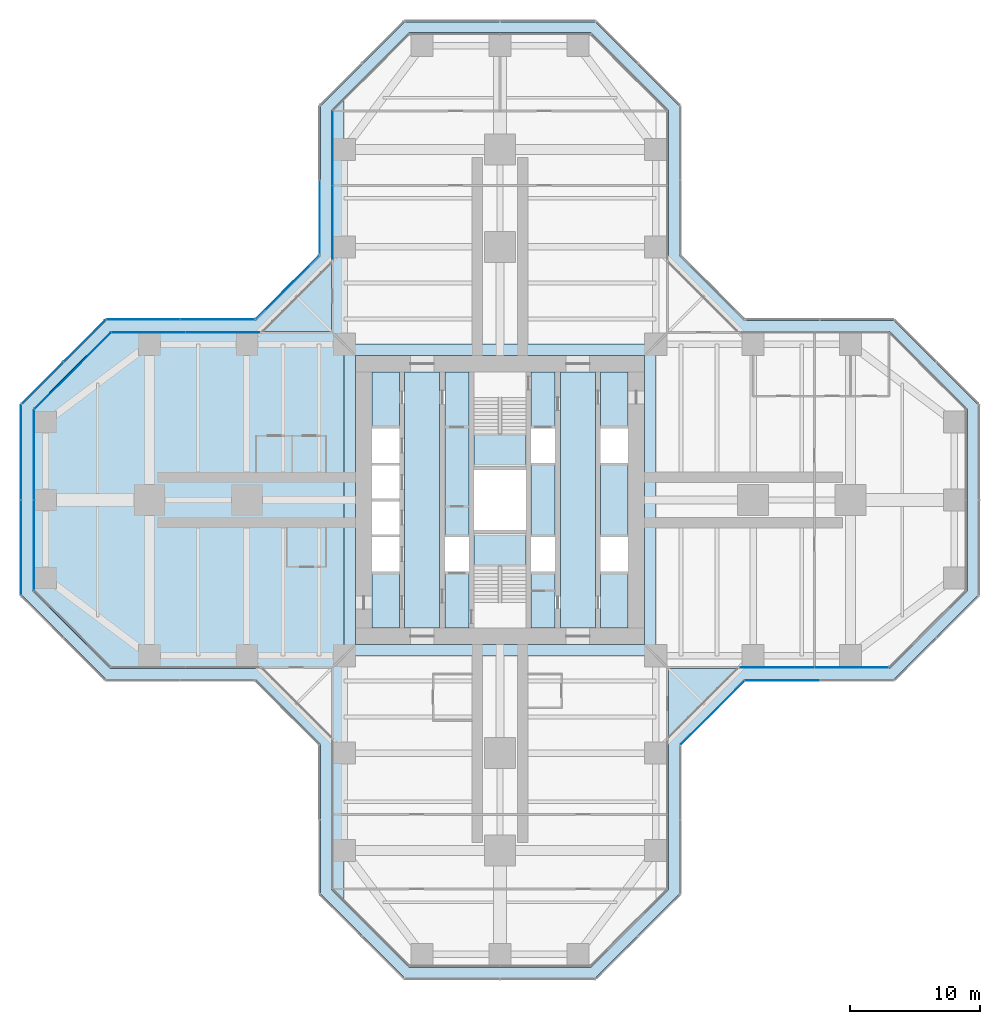
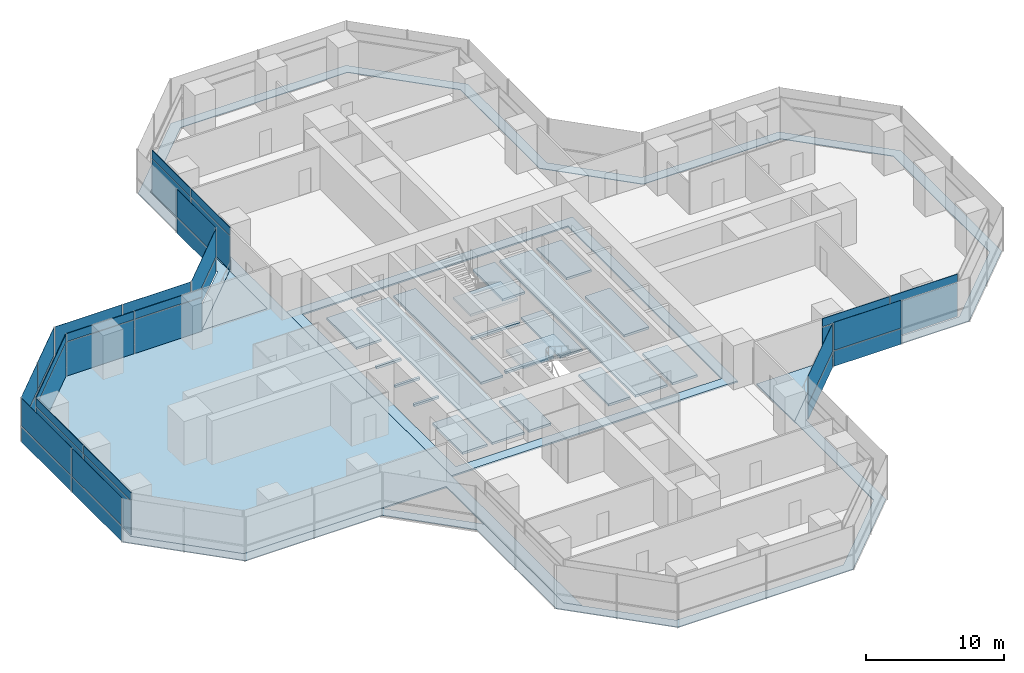
# One storey, part 15 of 22: 39 plates, 7 slabs, 14 elements without a shape of their own.
"""IFC4 building model written with IfcOpenShell, lengths in metres."""

from ifc_helpers import new_model, si_unit, direction, frame, origin, origin_2d, place, context, subcontext, project, spatial, polyline, rectangle, outline, extrude, material, layer, layer_set, type_object, element, aggregate, save


model = new_model("IFC4")

# Units and contexts
model_context = context("Model", 3, precision=1e-05, world=origin(), true_north=direction((0.0, 1.0)))
body_context = subcontext(model_context, "Body", "Model", "MODEL_VIEW")
ifc_project = project(units=[si_unit("LENGTHUNIT", "METRE"), si_unit("AREAUNIT", "SQUARE_METRE"), si_unit("VOLUMEUNIT", "CUBIC_METRE"), si_unit("PLANEANGLEUNIT", "RADIAN"), si_unit("MASSUNIT", "GRAM", prefix="KILO")], contexts=[model_context])

# Site, building, storey
site_placement = place(None, origin())
site = spatial("IfcSite", under=ifc_project, at=site_placement, CompositionType="ELEMENT")
building_placement = place(site_placement, origin())
building = spatial("IfcBuilding", under=site, at=building_placement, Name="Mizan Broadcast Tower", CompositionType="ELEMENT")
storey_placement = place(building_placement, frame((0.0, 0.0, 90.300048828125)))
storey = spatial("IfcBuildingStorey", under=building, at=storey_placement, Name="L19", CompositionType="ELEMENT", Elevation=90.300048828125)

# Plate
ifc_material_1 = material(Name="Aluminium grating", Category="aluminium")
ifc_layer_1 = layer(ifc_material_1, 0.050048828125)
ifc_layer_set_1 = layer_set([ifc_layer_1], Name="Aluminium grating")
plate_type_1 = type_object("IfcPlateType", Name="CAVITY GRATING", PredefinedType="USERDEFINED", material=ifc_layer_set_1)
plate_1_placement = place(storey_placement, frame((0.0, 0.0, -0.050048828125)))
element("IfcPlate", 1, at=plate_1_placement, inside=storey, type_object=plate_type_1, Name="Cavity grating L19", ObjectType="GRATING", PredefinedType="USERDEFINED", context=body_context, shape_type="SweptSolid", body=[
    extrude(outline(polyline([(13.820068359375, -18.839599609375), (18.839599609375, -13.820068359375), (30.339599609375, -13.820068359375), (36.820068359375, -7.339599609375), (36.820068359375, 7.339599609375), (30.339599609375, 13.820068359375), (18.839599609375, 13.820068359375), (13.820068359375, 18.839599609375), (13.820068359375, 30.339599609375), (7.339599609375, 36.820068359375), (-7.339599609375, 36.820068359375), (-13.820068359375, 30.339599609375), (-13.820068359375, 18.839599609375), (-18.839599609375, 13.820068359375), (-30.339599609375, 13.820068359375), (-36.820068359375, 7.339599609375), (-36.820068359375, -7.339599609375), (-30.339599609375, -13.820068359375), (-18.839599609375, -13.820068359375), (-13.820068359375, -18.839599609375), (-13.820068359375, -30.339599609375), (-7.339599609375, -36.820068359375), (7.339599609375, -36.820068359375), (13.820068359375, -30.339599609375), (13.820068359375, -18.839599609375)]), holes=[polyline([(36.0, 7.0), (36.0, -7.0), (30.0, -13.0), (18.5, -13.0), (13.0, -18.5), (13.0, -30.0), (7.0, -36.0), (-7.0, -36.0), (-13.0, -30.0), (-13.0, -18.5), (-18.5, -13.0), (-30.0, -13.0), (-36.0, -7.0), (-36.0, 7.0), (-30.0, 13.0), (-18.5, 13.0), (-13.0, 18.5), (-13.0, 30.0), (-7.0, 36.0), (7.0, 36.0), (13.0, 30.0), (13.0, 18.5), (18.5, 13.0), (30.0, 13.0), (36.0, 7.0)])]), origin(), (0.0, 0.0, 1.0), 0.050048828125),
])

# Slabs
ifc_material_2 = material(Name="Concrete C32/40", Category="concrete")
ifc_layer_2 = layer(ifc_material_2, 0.1298828125)
ifc_layer_set_2 = layer_set([ifc_layer_2], Name="Concrete C32/40")
slab_type_1 = type_object("IfcSlabType", Name="COMPOSITE DECK SLAB 130", PredefinedType="FLOOR", material=ifc_layer_set_2)
slab_1_placement = place(storey_placement, frame((0.0, 0.0, -0.130126953125)))
element("IfcSlab", 2, at=slab_1_placement, inside=storey, type_object=slab_type_1, Name="Floor slab L19 centre", PredefinedType="FLOOR", context=body_context, shape_type="SweptSolid", body=[
    extrude(outline(polyline([(-12.0, -12.0), (12.0, -12.0), (12.0, 12.0), (-12.0, 12.0), (-12.0, -12.0)]), holes=[polyline([(-11.14990234375, 11.14990234375), (11.14990234375, 11.14990234375), (11.14990234375, -11.14990234375), (-11.14990234375, -11.14990234375), (-11.14990234375, 11.14990234375)])]), origin(), (0.0, 0.0, 1.0), 0.130126953125),
])
slab_2_placement = place(storey_placement, frame((0.0, 0.0, -0.130126953125)))
element("IfcSlab", 3, at=slab_2_placement, inside=storey, type_object=slab_type_1, Name="Floor slab L19 west arm", PredefinedType="FLOOR", context=body_context, shape_type="SweptSolid", body=[
    extrude(outline(polyline([(-13.0, -30.0), (-12.0, -31.0), (-12.0, 31.0), (-13.0, 30.0), (-13.0, 13.0), (-30.0, 13.0), (-36.0, 7.0), (-36.0, -7.0), (-30.0, -13.0), (-13.0, -13.0), (-13.0, -30.0)])), origin(), (0.0, 0.0, 1.0), 0.130126953125),
])
ifc_material_3 = material(Name="Concrete C40/50", Category="concrete")
ifc_layer_3 = layer(ifc_material_3, 0.199951171875)
ifc_layer_set_3 = layer_set([ifc_layer_3], Name="Concrete C40/50")
slab_type_2 = type_object("IfcSlabType", Name="CORE FLOOR 200", PredefinedType="FLOOR", material=ifc_layer_set_3)
slab_3_placement = place(storey_placement, frame((0.0, 0.0, -0.199951171875)))
element("IfcSlab", 4, at=slab_3_placement, inside=storey, type_object=slab_type_2, Name="Core floor L19", PredefinedType="FLOOR", context=body_context, shape_type="SweptSolid", body=[
    extrude(outline(polyline([(-9.85009765625, -9.85009765625), (-7.75, -9.85009765625), (-7.75, -5.5), (-9.85009765625, -5.5), (-9.85009765625, -9.85009765625)])), origin(), (0.0, 0.0, 1.0), 0.199951171875),
    extrude(outline(polyline([(-9.85009765625, -2.85009765625), (-7.75, -2.85009765625), (-7.75, -2.64990234375), (-9.85009765625, -2.64990234375), (-9.85009765625, -2.85009765625)])), origin(), (0.0, 0.0, 1.0), 0.199951171875),
    extrude(outline(polyline([(-9.85009765625, -0.10009765625), (-7.75, -0.10009765625), (-7.75, 0.10009765625), (-9.85009765625, 0.10009765625), (-9.85009765625, -0.10009765625)])), origin(), (0.0, 0.0, 1.0), 0.199951171875),
    extrude(outline(polyline([(-9.85009765625, 2.64990234375), (-7.75, 2.64990234375), (-7.75, 2.85009765625), (-9.85009765625, 2.85009765625), (-9.85009765625, 2.64990234375)])), origin(), (0.0, 0.0, 1.0), 0.199951171875),
    extrude(outline(polyline([(-9.85009765625, 5.5), (-7.75, 5.5), (-7.75, 9.85009765625), (-9.85009765625, 9.85009765625), (-9.85009765625, 5.5)])), origin(), (0.0, 0.0, 1.0), 0.199951171875),
    extrude(outline(polyline([(-4.64990234375, 9.85009765625), (-7.35009765625, 9.85009765625), (-7.35009765625, -9.85009765625), (-4.64990234375, -9.85009765625), (-4.64990234375, 9.85009765625)])), origin(), (0.0, 0.0, 1.0), 0.199951171875),
    extrude(outline(polyline([(-4.25, -5.5), (-4.25, -9.85009765625), (-2.39990234375, -9.85009765625), (-2.39990234375, -5.5), (-4.25, -5.5)])), origin(), (0.0, 0.0, 1.0), 0.199951171875),
    extrude(outline(polyline([(-4.25, -2.85009765625), (-2.39990234375, -2.85009765625), (-2.39990234375, 9.85009765625), (-4.25, 9.85009765625), (-4.25, -2.85009765625)])), origin(), (0.0, 0.0, 1.0), 0.199951171875),
    extrude(outline(polyline([(2.0, -2.324951171875), (-2.0, -2.324951171875), (-2.0, -2.574951171875), (2.0, -2.574951171875), (2.0, -2.324951171875)])), origin(), (0.0, 0.0, 1.0), 0.199951171875),
    extrude(outline(polyline([(2.0, 2.574951171875), (-2.0, 2.574951171875), (-2.0, 2.324951171875), (2.0, 2.324951171875), (2.0, 2.574951171875)])), origin(), (0.0, 0.0, 1.0), 0.199951171875),
    extrude(outline(polyline([(4.25, -9.85009765625), (4.25, -5.5), (2.39990234375, -5.5), (2.39990234375, -9.85009765625), (4.25, -9.85009765625)])), origin(), (0.0, 0.0, 1.0), 0.199951171875),
    extrude(outline(polyline([(4.25, -2.85009765625), (4.25, 2.85009765625), (2.39990234375, 2.85009765625), (2.39990234375, -2.85009765625), (4.25, -2.85009765625)])), origin(), (0.0, 0.0, 1.0), 0.199951171875),
    extrude(outline(polyline([(4.25, 5.5), (4.25, 9.85009765625), (2.39990234375, 9.85009765625), (2.39990234375, 5.5), (4.25, 5.5)])), origin(), (0.0, 0.0, 1.0), 0.199951171875),
    extrude(outline(polyline([(4.64990234375, 9.85009765625), (4.64990234375, -9.85009765625), (7.35009765625, -9.85009765625), (7.35009765625, 9.85009765625), (4.64990234375, 9.85009765625)])), origin(), (0.0, 0.0, 1.0), 0.199951171875),
    extrude(outline(polyline([(9.85009765625, -9.85009765625), (9.85009765625, -5.5), (7.75, -5.5), (7.75, -9.85009765625), (9.85009765625, -9.85009765625)])), origin(), (0.0, 0.0, 1.0), 0.199951171875),
    extrude(outline(polyline([(7.75, 2.85009765625), (7.75, -2.85009765625), (9.85009765625, -2.85009765625), (9.85009765625, 2.85009765625), (7.75, 2.85009765625)])), origin(), (0.0, 0.0, 1.0), 0.199951171875),
    extrude(outline(polyline([(9.85009765625, 5.5), (9.85009765625, 9.85009765625), (7.75, 9.85009765625), (7.75, 5.5), (9.85009765625, 5.5)])), origin(), (0.0, 0.0, 1.0), 0.199951171875),
])

# Curtain wall, plates
ifc_material_4 = material(Name="Aluminium framed glazing", Category="aluminium")
curtain_wall_type_1 = type_object("IfcCurtainWallType", Name="INNER SKIN LOW ZONE", PredefinedType="USERDEFINED", material=ifc_material_4)
curtain_wall_1_placement = place(storey_placement, origin())
curtain_wall_1 = element("IfcCurtainWall", 5, at=curtain_wall_1_placement, inside=storey, type_object=curtain_wall_type_1, Name="Inner skin low zone L19 E side", ObjectType="INNER SKIN LOW ZONE", PredefinedType="USERDEFINED")
ifc_material_5 = material(Name="Double glazing, clear low-e", Category="glass")
ifc_layer_4 = layer(ifc_material_5, 0.028076171875)
ifc_layer_set_4 = layer_set([ifc_layer_4], Name="Double glazing, clear low-e")
plate_type_2 = type_object("IfcPlateType", Name="INNER SKIN GLAZING UNIT", PredefinedType="CURTAIN_PANEL", material=ifc_layer_set_4)
plate_2_placement = place(storey_placement, frame((21.379638671875, -12.89990234375, 0.0), z_axis=(0.0, 0.0, 1.0), x_axis=(1.0, 0.0, 0.0)))
plate_2 = element("IfcPlate", 6, at=plate_2_placement, type_object=plate_type_2, Name="Inner skin low zone L19 E side panel 1.1", PredefinedType="CURTAIN_PANEL", context=body_context, shape_type="SweptSolid", body=[
    extrude(rectangle(XDim=5.639404296875, YDim=0.028076171875, at=origin_2d()), origin(), (0.0, 0.0, 1.0), 3.0),
])
plate_3_placement = place(storey_placement, frame((27.078857421875, -12.89990234375, 0.0), z_axis=(0.0, 0.0, 1.0), x_axis=(1.0, 0.0, 0.0)))
plate_3 = element("IfcPlate", 7, at=plate_3_placement, type_object=plate_type_2, Name="Inner skin low zone L19 E side panel 2.1", PredefinedType="CURTAIN_PANEL", context=body_context, shape_type="SweptSolid", body=[
    extrude(rectangle(XDim=5.639404296875, YDim=0.028076171875, at=origin_2d()), origin(), (0.0, 0.0, 1.0), 3.0),
])

curtain_wall_2_placement = place(storey_placement, origin())
curtain_wall_2 = element("IfcCurtainWall", 8, at=curtain_wall_2_placement, inside=storey, type_object=curtain_wall_type_1, Name="Inner skin low zone L19 N side", ObjectType="INNER SKIN LOW ZONE", PredefinedType="USERDEFINED")
plate_4_placement = place(storey_placement, frame((-12.89990234375, 27.078857421875, 0.0), z_axis=(0.0, 0.0, 1.0), x_axis=(0.0, -1.0, 0.0)))
plate_4 = element("IfcPlate", 9, at=plate_4_placement, type_object=plate_type_2, Name="Inner skin low zone L19 N side panel 1.1", PredefinedType="CURTAIN_PANEL", context=body_context, shape_type="SweptSolid", body=[
    extrude(rectangle(XDim=5.639404296875, YDim=0.028076171875, at=origin_2d()), origin(), (0.0, 0.0, 1.0), 3.0),
])
plate_5_placement = place(storey_placement, frame((-12.89990234375, 21.379638671875, 0.0), z_axis=(0.0, 0.0, 1.0), x_axis=(0.0, -1.0, 0.0)))
plate_5 = element("IfcPlate", 10, at=plate_5_placement, type_object=plate_type_2, Name="Inner skin low zone L19 N side panel 2.1", PredefinedType="CURTAIN_PANEL", context=body_context, shape_type="SweptSolid", body=[
    extrude(rectangle(XDim=5.639404296875, YDim=0.028076171875, at=origin_2d()), origin(), (0.0, 0.0, 1.0), 3.0),
])

curtain_wall_3_placement = place(storey_placement, origin())
curtain_wall_3 = element("IfcCurtainWall", 11, at=curtain_wall_3_placement, inside=storey, type_object=curtain_wall_type_1, Name="Inner skin low zone L19 W side", ObjectType="INNER SKIN LOW ZONE", PredefinedType="USERDEFINED")
plate_6_placement = place(storey_placement, frame((-21.379638671875, 12.89990234375, 0.0), z_axis=(0.0, 0.0, 1.0), x_axis=(-1.0, 0.0, 0.0)))
plate_6 = element("IfcPlate", 12, at=plate_6_placement, type_object=plate_type_2, Name="Inner skin low zone L19 W side panel 1.1", PredefinedType="CURTAIN_PANEL", context=body_context, shape_type="SweptSolid", body=[
    extrude(rectangle(XDim=5.639404296875, YDim=0.028076171875, at=origin_2d()), origin(), (0.0, 0.0, 1.0), 3.0),
])
plate_7_placement = place(storey_placement, frame((-27.078857421875, 12.89990234375, 0.0), z_axis=(0.0, 0.0, 1.0), x_axis=(-1.0, 0.0, 0.0)))
plate_7 = element("IfcPlate", 13, at=plate_7_placement, type_object=plate_type_2, Name="Inner skin low zone L19 W side panel 2.1", PredefinedType="CURTAIN_PANEL", context=body_context, shape_type="SweptSolid", body=[
    extrude(rectangle(XDim=5.639404296875, YDim=0.028076171875, at=origin_2d()), origin(), (0.0, 0.0, 1.0), 3.0),
])

# Curtain wall, plate
curtain_wall_4_placement = place(storey_placement, origin())
curtain_wall_4 = element("IfcCurtainWall", 14, at=curtain_wall_4_placement, inside=storey, type_object=curtain_wall_type_1, Name="Inner skin low zone L19 W chamfer", ObjectType="INNER SKIN LOW ZONE", PredefinedType="USERDEFINED")
plate_8_placement = place(storey_placement, frame((-32.92919921875, 9.92919921875, 0.0), z_axis=(0.0, 0.0, 1.0), x_axis=(-0.707106781187, -0.707106781187, 0.0)))
plate_8 = element("IfcPlate", 15, at=plate_8_placement, type_object=plate_type_2, Name="Inner skin low zone L19 W chamfer panel 1.1", PredefinedType="CURTAIN_PANEL", context=body_context, shape_type="SweptSolid", body=[
    extrude(rectangle(XDim=8.282470703125, YDim=0.028076171875, at=origin_2d()), origin(), (0.0, 0.0, 1.0), 3.0),
])

# Curtain wall, plates
curtain_wall_5_placement = place(storey_placement, origin())
curtain_wall_5 = element("IfcCurtainWall", 16, at=curtain_wall_5_placement, inside=storey, type_object=curtain_wall_type_1, Name="Inner skin low zone L19 W end", ObjectType="INNER SKIN LOW ZONE", PredefinedType="USERDEFINED")
plate_9_placement = place(storey_placement, frame((-35.89990234375, 3.46435546875, 0.0), z_axis=(0.0, 0.0, 1.0), x_axis=(0.0, -1.0, 0.0)))
plate_9 = element("IfcPlate", 17, at=plate_9_placement, type_object=plate_type_2, Name="Inner skin low zone L19 W end panel 1.1", PredefinedType="CURTAIN_PANEL", context=body_context, shape_type="SweptSolid", body=[
    extrude(rectangle(XDim=6.86865234375, YDim=0.028076171875, at=origin_2d()), origin(), (0.0, 0.0, 1.0), 3.0),
])
plate_10_placement = place(storey_placement, frame((-35.89990234375, -3.46435546875, 0.0), z_axis=(0.0, 0.0, 1.0), x_axis=(0.0, -1.0, 0.0)))
plate_10 = element("IfcPlate", 18, at=plate_10_placement, type_object=plate_type_2, Name="Inner skin low zone L19 W end panel 2.1", PredefinedType="CURTAIN_PANEL", context=body_context, shape_type="SweptSolid", body=[
    extrude(rectangle(XDim=6.86865234375, YDim=0.028076171875, at=origin_2d()), origin(), (0.0, 0.0, 1.0), 3.0),
])

# Plate
ifc_material_6 = material(Name="Insulated aluminium spandrel panel, pale anodised", Category="aluminium")
ifc_layer_5 = layer(ifc_material_6, 0.050048828125)
ifc_layer_set_5 = layer_set([ifc_layer_5], Name="Insulated aluminium spandrel panel, pale anodised")
plate_type_3 = type_object("IfcPlateType", Name="INNER SKIN SPANDREL PANEL", PredefinedType="CURTAIN_PANEL", material=ifc_layer_set_5)
plate_11_placement = place(storey_placement, frame((21.379638671875, -12.89990234375, 3.06005859375), z_axis=(0.0, 0.0, 1.0), x_axis=(1.0, 0.0, 0.0)))
plate_11 = element("IfcPlate", 19, at=plate_11_placement, type_object=plate_type_3, Name="Inner skin low zone L19 E side panel 1.2", PredefinedType="CURTAIN_PANEL", context=body_context, shape_type="SweptSolid", body=[
    extrude(rectangle(XDim=5.639404296875, YDim=0.050048828125, at=origin_2d()), origin(), (0.0, 0.0, 1.0), 0.7099609375),
])

plate_12_placement = place(storey_placement, frame((27.078857421875, -12.89990234375, 3.06005859375), z_axis=(0.0, 0.0, 1.0), x_axis=(1.0, 0.0, 0.0)))
plate_12 = element("IfcPlate", 20, at=plate_12_placement, type_object=plate_type_3, Name="Inner skin low zone L19 E side panel 2.2", PredefinedType="CURTAIN_PANEL", context=body_context, shape_type="SweptSolid", body=[
    extrude(rectangle(XDim=5.639404296875, YDim=0.050048828125, at=origin_2d()), origin(), (0.0, 0.0, 1.0), 0.7099609375),
])

aggregate(curtain_wall_1, [plate_2, plate_11, plate_3, plate_12])

plate_13_placement = place(storey_placement, frame((-12.89990234375, 27.078857421875, 3.06005859375), z_axis=(0.0, 0.0, 1.0), x_axis=(0.0, -1.0, 0.0)))
plate_13 = element("IfcPlate", 21, at=plate_13_placement, type_object=plate_type_3, Name="Inner skin low zone L19 N side panel 1.2", PredefinedType="CURTAIN_PANEL", context=body_context, shape_type="SweptSolid", body=[
    extrude(rectangle(XDim=5.639404296875, YDim=0.050048828125, at=origin_2d()), origin(), (0.0, 0.0, 1.0), 0.7099609375),
])

plate_14_placement = place(storey_placement, frame((-12.89990234375, 21.379638671875, 3.06005859375), z_axis=(0.0, 0.0, 1.0), x_axis=(0.0, -1.0, 0.0)))
plate_14 = element("IfcPlate", 22, at=plate_14_placement, type_object=plate_type_3, Name="Inner skin low zone L19 N side panel 2.2", PredefinedType="CURTAIN_PANEL", context=body_context, shape_type="SweptSolid", body=[
    extrude(rectangle(XDim=5.639404296875, YDim=0.050048828125, at=origin_2d()), origin(), (0.0, 0.0, 1.0), 0.7099609375),
])

aggregate(curtain_wall_2, [plate_4, plate_13, plate_5, plate_14])

plate_15_placement = place(storey_placement, frame((-21.379638671875, 12.89990234375, 3.06005859375), z_axis=(0.0, 0.0, 1.0), x_axis=(-1.0, 0.0, 0.0)))
plate_15 = element("IfcPlate", 23, at=plate_15_placement, type_object=plate_type_3, Name="Inner skin low zone L19 W side panel 1.2", PredefinedType="CURTAIN_PANEL", context=body_context, shape_type="SweptSolid", body=[
    extrude(rectangle(XDim=5.639404296875, YDim=0.050048828125, at=origin_2d()), origin(), (0.0, 0.0, 1.0), 0.7099609375),
])

plate_16_placement = place(storey_placement, frame((-27.078857421875, 12.89990234375, 3.06005859375), z_axis=(0.0, 0.0, 1.0), x_axis=(-1.0, 0.0, 0.0)))
plate_16 = element("IfcPlate", 24, at=plate_16_placement, type_object=plate_type_3, Name="Inner skin low zone L19 W side panel 2.2", PredefinedType="CURTAIN_PANEL", context=body_context, shape_type="SweptSolid", body=[
    extrude(rectangle(XDim=5.639404296875, YDim=0.050048828125, at=origin_2d()), origin(), (0.0, 0.0, 1.0), 0.7099609375),
])

aggregate(curtain_wall_3, [plate_6, plate_15, plate_7, plate_16])

plate_17_placement = place(storey_placement, frame((-32.92919921875, 9.92919921875, 3.06005859375), z_axis=(0.0, 0.0, 1.0), x_axis=(-0.707106781187, -0.707106781187, 0.0)))
plate_17 = element("IfcPlate", 25, at=plate_17_placement, type_object=plate_type_3, Name="Inner skin low zone L19 W chamfer panel 1.2", PredefinedType="CURTAIN_PANEL", context=body_context, shape_type="SweptSolid", body=[
    extrude(rectangle(XDim=8.282470703125, YDim=0.050048828125, at=origin_2d()), origin(), (0.0, 0.0, 1.0), 0.7099609375),
])

aggregate(curtain_wall_4, [plate_8, plate_17])

plate_18_placement = place(storey_placement, frame((-35.89990234375, 3.46435546875, 3.06005859375), z_axis=(0.0, 0.0, 1.0), x_axis=(0.0, -1.0, 0.0)))
plate_18 = element("IfcPlate", 26, at=plate_18_placement, type_object=plate_type_3, Name="Inner skin low zone L19 W end panel 1.2", PredefinedType="CURTAIN_PANEL", context=body_context, shape_type="SweptSolid", body=[
    extrude(rectangle(XDim=6.86865234375, YDim=0.050048828125, at=origin_2d()), origin(), (0.0, 0.0, 1.0), 0.7099609375),
])

plate_19_placement = place(storey_placement, frame((-35.89990234375, -3.46435546875, 3.06005859375), z_axis=(0.0, 0.0, 1.0), x_axis=(0.0, -1.0, 0.0)))
plate_19 = element("IfcPlate", 27, at=plate_19_placement, type_object=plate_type_3, Name="Inner skin low zone L19 W end panel 2.2", PredefinedType="CURTAIN_PANEL", context=body_context, shape_type="SweptSolid", body=[
    extrude(rectangle(XDim=6.86865234375, YDim=0.050048828125, at=origin_2d()), origin(), (0.0, 0.0, 1.0), 0.7099609375),
])

aggregate(curtain_wall_5, [plate_9, plate_18, plate_10, plate_19])

# Curtain wall, plates
ifc_material_7 = material(Name="Aluminium framed glazing", Category="aluminium")
curtain_wall_type_2 = type_object("IfcCurtainWallType", Name="OUTER SKIN", PredefinedType="USERDEFINED", material=ifc_material_7)
curtain_wall_6_placement = place(storey_placement, origin())
curtain_wall_6 = element("IfcCurtainWall", 28, at=curtain_wall_6_placement, inside=storey, type_object=curtain_wall_type_2, Name="Outer skin L19 W chamfer", ObjectType="OUTER SKIN", PredefinedType="USERDEFINED")
ifc_material_8 = material(Name="Laminated clear glass", Category="glass")
ifc_layer_6 = layer(ifc_material_8, 0.02001953125)
ifc_layer_set_6 = layer_set([ifc_layer_6], Name="Laminated clear glass")
plate_type_4 = type_object("IfcPlateType", Name="OUTER SKIN CLEAR GLASS", PredefinedType="CURTAIN_PANEL", material=ifc_layer_set_6)
plate_20_placement = place(storey_placement, frame((-16.386474609375, 16.386474609375, 0.0), z_axis=(0.0, 0.0, 1.0), x_axis=(-0.707106781187, -0.707106781187, 0.0)))
plate_20 = element("IfcPlate", 29, at=plate_20_placement, type_object=plate_type_4, Name="Outer skin L19 W chamfer panel 1.1", PredefinedType="CURTAIN_PANEL", context=body_context, shape_type="SweptSolid", body=[
    extrude(rectangle(XDim=6.87255859375, YDim=0.02001953125, at=origin_2d()), origin(), (0.0, 0.0, 1.0), 1.3701171875),
])
plate_21_placement = place(storey_placement, frame((-16.386474609375, 16.386474609375, 1.43017578125), z_axis=(0.0, 0.0, 1.0), x_axis=(-0.707106781187, -0.707106781187, 0.0)))
plate_21 = element("IfcPlate", 30, at=plate_21_placement, type_object=plate_type_4, Name="Outer skin L19 W chamfer panel 1.2", PredefinedType="CURTAIN_PANEL", context=body_context, shape_type="SweptSolid", body=[
    extrude(rectangle(XDim=6.87255859375, YDim=0.02001953125, at=origin_2d()), origin(), (0.0, 0.0, 1.0), 2.469970703125),
])
aggregate(curtain_wall_6, [plate_20, plate_21])

curtain_wall_7_placement = place(storey_placement, origin())
curtain_wall_7 = element("IfcCurtainWall", 31, at=curtain_wall_7_placement, inside=storey, type_object=curtain_wall_type_2, Name="Outer skin L19 W side", ObjectType="OUTER SKIN", PredefinedType="USERDEFINED")
plate_22_placement = place(storey_placement, frame((-21.767822265625, 13.89990234375, 0.0), z_axis=(0.0, 0.0, 1.0), x_axis=(-1.0, 0.0, 0.0)))
plate_22 = element("IfcPlate", 32, at=plate_22_placement, type_object=plate_type_4, Name="Outer skin L19 W side panel 1.1", PredefinedType="CURTAIN_PANEL", context=body_context, shape_type="SweptSolid", body=[
    extrude(rectangle(XDim=5.6298828125, YDim=0.02001953125, at=origin_2d()), origin(), (0.0, 0.0, 1.0), 1.3701171875),
])
plate_23_placement = place(storey_placement, frame((-21.767822265625, 13.89990234375, 1.43017578125), z_axis=(0.0, 0.0, 1.0), x_axis=(-1.0, 0.0, 0.0)))
plate_23 = element("IfcPlate", 33, at=plate_23_placement, type_object=plate_type_4, Name="Outer skin L19 W side panel 1.2", PredefinedType="CURTAIN_PANEL", context=body_context, shape_type="SweptSolid", body=[
    extrude(rectangle(XDim=5.6298828125, YDim=0.02001953125, at=origin_2d()), origin(), (0.0, 0.0, 1.0), 2.469970703125),
])
plate_24_placement = place(storey_placement, frame((-27.477783203125, 13.89990234375, 0.0), z_axis=(0.0, 0.0, 1.0), x_axis=(-1.0, 0.0, 0.0)))
plate_24 = element("IfcPlate", 34, at=plate_24_placement, type_object=plate_type_4, Name="Outer skin L19 W side panel 2.1", PredefinedType="CURTAIN_PANEL", context=body_context, shape_type="SweptSolid", body=[
    extrude(rectangle(XDim=5.6298828125, YDim=0.02001953125, at=origin_2d()), origin(), (0.0, 0.0, 1.0), 1.3701171875),
])
plate_25_placement = place(storey_placement, frame((-27.477783203125, 13.89990234375, 1.43017578125), z_axis=(0.0, 0.0, 1.0), x_axis=(-1.0, 0.0, 0.0)))
plate_25 = element("IfcPlate", 35, at=plate_25_placement, type_object=plate_type_4, Name="Outer skin L19 W side panel 2.2", PredefinedType="CURTAIN_PANEL", context=body_context, shape_type="SweptSolid", body=[
    extrude(rectangle(XDim=5.6298828125, YDim=0.02001953125, at=origin_2d()), origin(), (0.0, 0.0, 1.0), 2.469970703125),
])
aggregate(curtain_wall_7, [plate_22, plate_23, plate_24, plate_25])

curtain_wall_8_placement = place(storey_placement, origin())
curtain_wall_8 = element("IfcCurtainWall", 36, at=curtain_wall_8_placement, inside=storey, type_object=curtain_wall_type_2, Name="Outer skin L19 W chamfer", ObjectType="OUTER SKIN", PredefinedType="USERDEFINED")
plate_26_placement = place(storey_placement, frame((-32.018798828125, 12.254150390625, 0.0), z_axis=(0.0, 0.0, 1.0), x_axis=(-0.707106781187, -0.707106781187, 0.0)))
plate_26 = element("IfcPlate", 37, at=plate_26_placement, type_object=plate_type_4, Name="Outer skin L19 W chamfer panel 1.1", PredefinedType="CURTAIN_PANEL", context=body_context, shape_type="SweptSolid", body=[
    extrude(rectangle(XDim=4.495361328125, YDim=0.02001953125, at=origin_2d()), origin(), (0.0, 0.0, 1.0), 1.3701171875),
])
plate_27_placement = place(storey_placement, frame((-32.018798828125, 12.254150390625, 1.43017578125), z_axis=(0.0, 0.0, 1.0), x_axis=(-0.707106781187, -0.707106781187, 0.0)))
plate_27 = element("IfcPlate", 38, at=plate_27_placement, type_object=plate_type_4, Name="Outer skin L19 W chamfer panel 1.2", PredefinedType="CURTAIN_PANEL", context=body_context, shape_type="SweptSolid", body=[
    extrude(rectangle(XDim=4.495361328125, YDim=0.02001953125, at=origin_2d()), origin(), (0.0, 0.0, 1.0), 2.469970703125),
])

curtain_wall_9_placement = place(storey_placement, origin())
curtain_wall_9 = element("IfcCurtainWall", 39, at=curtain_wall_9_placement, inside=storey, type_object=curtain_wall_type_2, Name="Outer skin L19 W end", ObjectType="OUTER SKIN", PredefinedType="USERDEFINED")
plate_28_placement = place(storey_placement, frame((-36.89990234375, 3.66650390625, 0.0), z_axis=(0.0, 0.0, 1.0), x_axis=(0.0, -1.0, 0.0)))
plate_28 = element("IfcPlate", 40, at=plate_28_placement, type_object=plate_type_4, Name="Outer skin L19 W end panel 1.1", PredefinedType="CURTAIN_PANEL", context=body_context, shape_type="SweptSolid", body=[
    extrude(rectangle(XDim=7.252685546875, YDim=0.02001953125, at=origin_2d()), origin(), (0.0, 0.0, 1.0), 1.3701171875),
])
plate_29_placement = place(storey_placement, frame((-36.89990234375, 3.66650390625, 1.43017578125), z_axis=(0.0, 0.0, 1.0), x_axis=(0.0, -1.0, 0.0)))
plate_29 = element("IfcPlate", 41, at=plate_29_placement, type_object=plate_type_4, Name="Outer skin L19 W end panel 1.2", PredefinedType="CURTAIN_PANEL", context=body_context, shape_type="SweptSolid", body=[
    extrude(rectangle(XDim=7.252685546875, YDim=0.02001953125, at=origin_2d()), origin(), (0.0, 0.0, 1.0), 2.469970703125),
])

curtain_wall_10_placement = place(storey_placement, origin())
curtain_wall_10 = element("IfcCurtainWall", 42, at=curtain_wall_10_placement, inside=storey, type_object=curtain_wall_type_2, Name="Outer skin L19 E chamfer", ObjectType="OUTER SKIN", PredefinedType="USERDEFINED")
plate_30_placement = place(storey_placement, frame((16.386474609375, -16.386474609375, 0.0), z_axis=(0.0, 0.0, 1.0), x_axis=(0.707106781187, 0.707106781187, 0.0)))
plate_30 = element("IfcPlate", 43, at=plate_30_placement, type_object=plate_type_4, Name="Outer skin L19 E chamfer panel 1.1", PredefinedType="CURTAIN_PANEL", context=body_context, shape_type="SweptSolid", body=[
    extrude(rectangle(XDim=6.87255859375, YDim=0.02001953125, at=origin_2d()), origin(), (0.0, 0.0, 1.0), 1.3701171875),
])
plate_31_placement = place(storey_placement, frame((16.386474609375, -16.386474609375, 1.43017578125), z_axis=(0.0, 0.0, 1.0), x_axis=(0.707106781187, 0.707106781187, 0.0)))
plate_31 = element("IfcPlate", 44, at=plate_31_placement, type_object=plate_type_4, Name="Outer skin L19 E chamfer panel 1.2", PredefinedType="CURTAIN_PANEL", context=body_context, shape_type="SweptSolid", body=[
    extrude(rectangle(XDim=6.87255859375, YDim=0.02001953125, at=origin_2d()), origin(), (0.0, 0.0, 1.0), 2.469970703125),
])
aggregate(curtain_wall_10, [plate_30, plate_31])

curtain_wall_11_placement = place(storey_placement, origin())
curtain_wall_11 = element("IfcCurtainWall", 45, at=curtain_wall_11_placement, inside=storey, type_object=curtain_wall_type_2, Name="Outer skin L19 E side", ObjectType="OUTER SKIN", PredefinedType="USERDEFINED")
plate_32_placement = place(storey_placement, frame((21.767822265625, -13.89990234375, 0.0), z_axis=(0.0, 0.0, 1.0), x_axis=(1.0, 0.0, 0.0)))
plate_32 = element("IfcPlate", 46, at=plate_32_placement, type_object=plate_type_4, Name="Outer skin L19 E side panel 1.1", PredefinedType="CURTAIN_PANEL", context=body_context, shape_type="SweptSolid", body=[
    extrude(rectangle(XDim=5.6298828125, YDim=0.02001953125, at=origin_2d()), origin(), (0.0, 0.0, 1.0), 1.3701171875),
])
plate_33_placement = place(storey_placement, frame((21.767822265625, -13.89990234375, 1.43017578125), z_axis=(0.0, 0.0, 1.0), x_axis=(1.0, 0.0, 0.0)))
plate_33 = element("IfcPlate", 47, at=plate_33_placement, type_object=plate_type_4, Name="Outer skin L19 E side panel 1.2", PredefinedType="CURTAIN_PANEL", context=body_context, shape_type="SweptSolid", body=[
    extrude(rectangle(XDim=5.6298828125, YDim=0.02001953125, at=origin_2d()), origin(), (0.0, 0.0, 1.0), 2.469970703125),
])
aggregate(curtain_wall_11, [plate_32, plate_33])

curtain_wall_12_placement = place(storey_placement, origin())
curtain_wall_12 = element("IfcCurtainWall", 48, at=curtain_wall_12_placement, inside=storey, type_object=curtain_wall_type_2, Name="Outer skin L19 N side", ObjectType="OUTER SKIN", PredefinedType="USERDEFINED")
ifc_material_9 = material(Name="Perforated aluminium, pale anodised", Category="aluminium")
ifc_layer_7 = layer(ifc_material_9, 0.011962890625)
ifc_layer_set_7 = layer_set([ifc_layer_7], Name="Perforated aluminium, pale anodised")
plate_type_5 = type_object("IfcPlateType", Name="OUTER SKIN PERFORATED SCREEN", PredefinedType="USERDEFINED", material=ifc_layer_set_7)
plate_34_placement = place(storey_placement, frame((-13.89990234375, 21.767822265625, 0.0), z_axis=(0.0, 0.0, 1.0), x_axis=(0.0, -1.0, 0.0)))
plate_34 = element("IfcPlate", 49, at=plate_34_placement, type_object=plate_type_5, Name="Outer skin L19 N side panel 2.1", ObjectType="SCREEN", PredefinedType="USERDEFINED", context=body_context, shape_type="SweptSolid", body=[
    extrude(rectangle(XDim=5.6298828125, YDim=0.011962890625, at=origin_2d()), origin(), (0.0, 0.0, 1.0), 1.3701171875),
])
plate_35_placement = place(storey_placement, frame((-13.89990234375, 21.767822265625, 1.43017578125), z_axis=(0.0, 0.0, 1.0), x_axis=(0.0, -1.0, 0.0)))
plate_35 = element("IfcPlate", 50, at=plate_35_placement, type_object=plate_type_5, Name="Outer skin L19 N side panel 2.2", ObjectType="SCREEN", PredefinedType="USERDEFINED", context=body_context, shape_type="SweptSolid", body=[
    extrude(rectangle(XDim=5.6298828125, YDim=0.011962890625, at=origin_2d()), origin(), (0.0, 0.0, 1.0), 2.469970703125),
])
aggregate(curtain_wall_12, [plate_34, plate_35])

# Plate
plate_36_placement = place(storey_placement, frame((-35.254150390625, 9.018798828125, 0.0), z_axis=(0.0, 0.0, 1.0), x_axis=(-0.707106781187, -0.707106781187, 0.0)))
plate_36 = element("IfcPlate", 51, at=plate_36_placement, type_object=plate_type_5, Name="Outer skin L19 W chamfer panel 2.1", ObjectType="SCREEN", PredefinedType="USERDEFINED", context=body_context, shape_type="SweptSolid", body=[
    extrude(rectangle(XDim=4.495361328125, YDim=0.011962890625, at=origin_2d()), origin(), (0.0, 0.0, 1.0), 1.3701171875),
])

plate_37_placement = place(storey_placement, frame((-35.254150390625, 9.018798828125, 1.43017578125), z_axis=(0.0, 0.0, 1.0), x_axis=(-0.707106781187, -0.707106781187, 0.0)))
plate_37 = element("IfcPlate", 52, at=plate_37_placement, type_object=plate_type_5, Name="Outer skin L19 W chamfer panel 2.2", ObjectType="SCREEN", PredefinedType="USERDEFINED", context=body_context, shape_type="SweptSolid", body=[
    extrude(rectangle(XDim=4.495361328125, YDim=0.011962890625, at=origin_2d()), origin(), (0.0, 0.0, 1.0), 2.469970703125),
])

aggregate(curtain_wall_8, [plate_26, plate_27, plate_36, plate_37])

plate_38_placement = place(storey_placement, frame((-36.89990234375, -3.66650390625, 0.0), z_axis=(0.0, 0.0, 1.0), x_axis=(0.0, -1.0, 0.0)))
plate_38 = element("IfcPlate", 53, at=plate_38_placement, type_object=plate_type_5, Name="Outer skin L19 W end panel 2.1", ObjectType="SCREEN", PredefinedType="USERDEFINED", context=body_context, shape_type="SweptSolid", body=[
    extrude(rectangle(XDim=7.252685546875, YDim=0.011962890625, at=origin_2d()), origin(), (0.0, 0.0, 1.0), 1.3701171875),
])

plate_39_placement = place(storey_placement, frame((-36.89990234375, -3.66650390625, 1.43017578125), z_axis=(0.0, 0.0, 1.0), x_axis=(0.0, -1.0, 0.0)))
plate_39 = element("IfcPlate", 54, at=plate_39_placement, type_object=plate_type_5, Name="Outer skin L19 W end panel 2.2", ObjectType="SCREEN", PredefinedType="USERDEFINED", context=body_context, shape_type="SweptSolid", body=[
    extrude(rectangle(XDim=7.252685546875, YDim=0.011962890625, at=origin_2d()), origin(), (0.0, 0.0, 1.0), 2.469970703125),
])

aggregate(curtain_wall_9, [plate_28, plate_29, plate_38, plate_39])

# Stair, slab
ifc_material_10 = material(Name="Concrete C40/50", Category="concrete")
stair_type = type_object("IfcStairType", Name="EXIT STAIR", PredefinedType="HALF_TURN_STAIR", material=ifc_material_10)
stair_1_placement = place(storey_placement, origin())
stair_1 = element("IfcStair", 55, at=stair_1_placement, inside=storey, type_object=stair_type, Name="Stair A L19", PredefinedType="HALF_TURN_STAIR")
ifc_material_11 = material(Name="Concrete C40/50", Category="concrete")
ifc_layer_8 = layer(ifc_material_11, 0.199951171875)
ifc_layer_set_8 = layer_set([ifc_layer_8], Name="Concrete C40/50")
slab_type_3 = type_object("IfcSlabType", Name="STAIR LANDING 200", PredefinedType="LANDING", material=ifc_layer_set_8)
slab_4_placement = place(storey_placement, frame((0.0, 0.0, 1.75)))
slab_4 = element("IfcSlab", 56, at=slab_4_placement, type_object=slab_type_3, Name="A landing 2", PredefinedType="LANDING", context=body_context, shape_type="SweptSolid", body=[
    extrude(outline(polyline([(-2.0, -5.10009765625), (-2.0, -2.574951171875), (2.0, -2.574951171875), (2.0, -5.10009765625), (-2.0, -5.10009765625)])), origin(), (0.0, 0.0, 1.0), 0.199951171875),
])
aggregate(stair_1, [slab_4])

stair_2_placement = place(storey_placement, origin())
stair_2 = element("IfcStair", 57, at=stair_2_placement, inside=storey, type_object=stair_type, Name="Stair B L19", PredefinedType="HALF_TURN_STAIR")
slab_5_placement = place(storey_placement, frame((0.0, 0.0, 1.75)))
slab_5 = element("IfcSlab", 58, at=slab_5_placement, type_object=slab_type_3, Name="B landing 2", PredefinedType="LANDING", context=body_context, shape_type="SweptSolid", body=[
    extrude(outline(polyline([(2.0, 5.10009765625), (2.0, 2.574951171875), (-2.0, 2.574951171875), (-2.0, 5.10009765625), (2.0, 5.10009765625)])), origin(), (0.0, 0.0, 1.0), 0.199951171875),
])
aggregate(stair_2, [slab_5])

# Slabs
ifc_material_12 = material(Name="Concrete C32/40", Category="concrete")
ifc_layer_9 = layer(ifc_material_12, 0.1298828125)
ifc_layer_set_9 = layer_set([ifc_layer_9], Name="Concrete C32/40")
slab_type_4 = type_object("IfcSlabType", Name="WINTER GARDEN SLAB 130", PredefinedType="FLOOR", material=ifc_layer_set_9)
slab_6_placement = place(storey_placement, frame((0.0, 0.0, -0.130126953125)))
element("IfcSlab", 59, at=slab_6_placement, inside=storey, type_object=slab_type_4, Name="Winter garden slab L19 N", PredefinedType="FLOOR", context=body_context, shape_type="SweptSolid", body=[
    extrude(outline(polyline([(-13.0, 13.0), (-13.0, 18.5), (-18.5, 13.0), (-13.0, 13.0)])), origin(), (0.0, 0.0, 1.0), 0.130126953125),
])
slab_7_placement = place(storey_placement, frame((0.0, 0.0, -0.130126953125)))
element("IfcSlab", 60, at=slab_7_placement, inside=storey, type_object=slab_type_4, Name="Winter garden slab L19 S", PredefinedType="FLOOR", context=body_context, shape_type="SweptSolid", body=[
    extrude(outline(polyline([(13.0, -13.0), (13.0, -18.5), (18.5, -13.0), (13.0, -13.0)])), origin(), (0.0, 0.0, 1.0), 0.130126953125),
])

save(model, "model.ifc")
